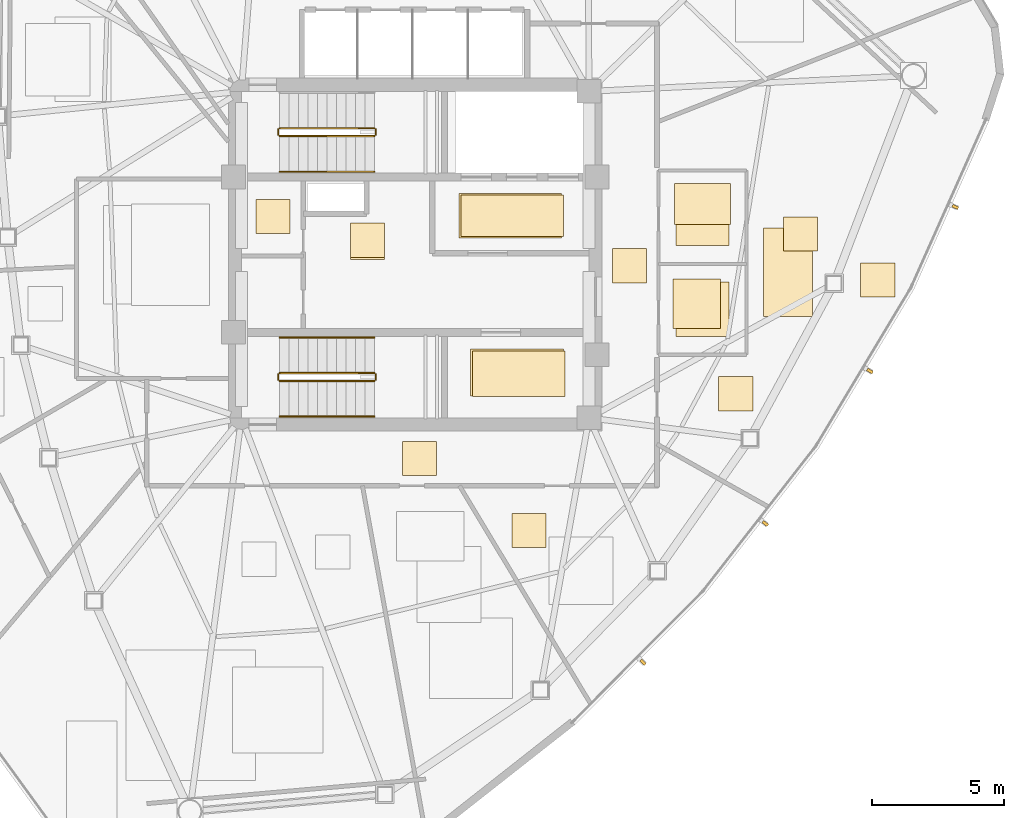
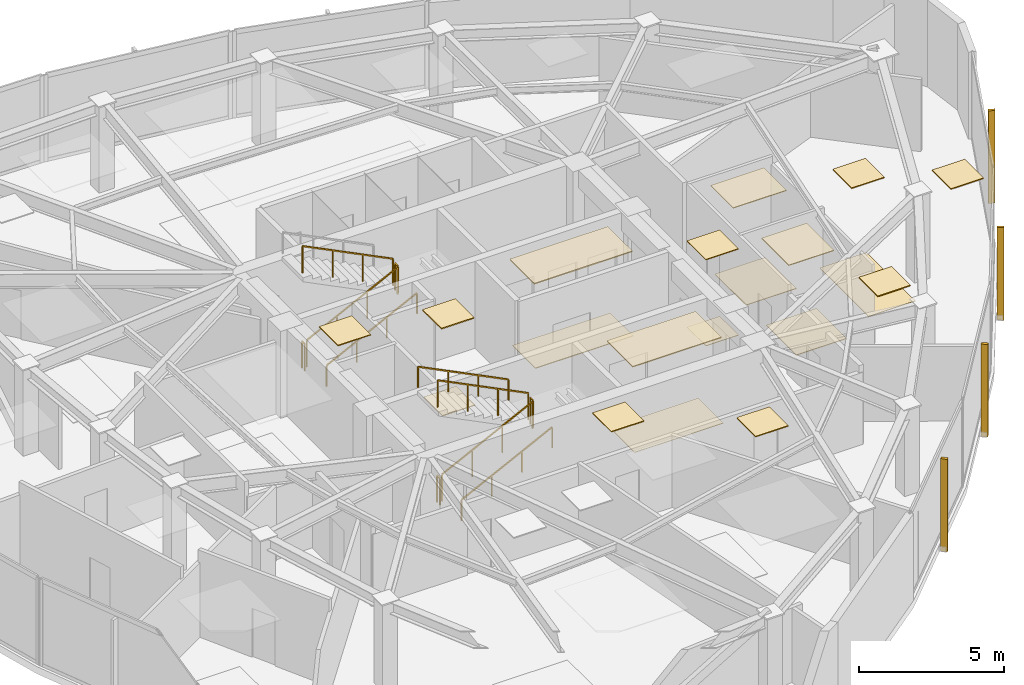
# One storey, part 12 of 13: 19 coverings, 11 railings, 4 shading devices.
"""IFC4 building model written with IfcOpenShell, lengths in metres."""

import ifcopenshell
import ifcopenshell.guid

model = None  # the IFC model being written
_history = None  # IfcOwnerHistory: only IFC2X3 demands one
_inside = {}  # id of a spatial element -> (the spatial element, [elements in it])
_under = {}  # id of a project, library or spatial element -> (it, [spatial elements below it])
_declared = {}  # id of a project -> (the project, [libraries it declares])
_typed = {}  # id of a type object -> (the type object, [elements of that type])
_made_of = {}  # id of a material, layer set ... -> (it, [elements and type objects made of it])


def new_model(schema):
    """Start an empty IFC model of exactly this schema.

    Asked for "IFC4X3", IfcOpenShell would pick the latest addendum, in which some entities
    have other attributes; the version numbers below select the first issue.
    IFC2X3 requires an IfcOwnerHistory on every rooted entity: one is made here for all.
    """
    global model, _history
    if schema == "IFC4X3":
        model = ifcopenshell.file(schema_version=(4, 3, 0, 0))
    else:
        model = ifcopenshell.file(schema=schema)
    _inside.clear()
    _under.clear()
    _declared.clear()
    _typed.clear()
    _made_of.clear()
    _history = None
    if model.schema == "IFC2X3":
        org = make("IfcOrganization", Name="unknown")
        user = make(
            "IfcPersonAndOrganization",
            ThePerson=make("IfcPerson", FamilyName="unknown"),
            TheOrganization=org,
        )
        app = make(
            "IfcApplication",
            ApplicationDeveloper=org,
            Version="unknown",
            ApplicationFullName="unknown",
            ApplicationIdentifier="unknown",
        )
        _history = make(
            "IfcOwnerHistory",
            OwningUser=user,
            OwningApplication=app,
            ChangeAction="ADDED",
            CreationDate=0,
        )
    return model


def make(cls, **values):
    """One entity of the class cls with the attributes given. An attribute that is None is left unset."""
    return model.create_entity(
        cls, **{name: value for name, value in values.items() if value is not None}
    )


def rooted(cls, **values):
    """An entity with a GlobalId (a new one), such as an element, a storey or a relation."""
    return make(cls, GlobalId=ifcopenshell.guid.new(), OwnerHistory=_history, **values)


def si_unit(unit_type, name, prefix=None):
    """IfcSIUnit, for example si_unit("LENGTHUNIT", "METRE", prefix="MILLI")."""
    return make("IfcSIUnit", UnitType=unit_type, Prefix=prefix, Name=name)


def assignment(units):
    """IfcUnitAssignment: the units of a project."""
    return None if units is None else make("IfcUnitAssignment", Units=units)


def point(xyz):
    """IfcCartesianPoint."""
    return None if xyz is None else make("IfcCartesianPoint", Coordinates=xyz)


def direction(xyz):
    """IfcDirection."""
    return None if xyz is None else make("IfcDirection", DirectionRatios=xyz)


def frame(location, z_axis=None, x_axis=None):
    """IfcAxis2Placement3D, a coordinate frame: its origin and axes. An axis left out is left unset."""
    return make(
        "IfcAxis2Placement3D",
        Location=point(location),
        Axis=direction(z_axis),
        RefDirection=direction(x_axis),
    )


def frame_2d(location, x_axis=None):
    """IfcAxis2Placement2D, a coordinate frame in the plane: its origin and x axis."""
    return make(
        "IfcAxis2Placement2D", Location=point(location), RefDirection=direction(x_axis)
    )


def origin():
    """The frame at (0, 0, 0) with its axes left unset."""
    return frame((0.0, 0.0, 0.0))


def origin_2d():
    """The frame at (0, 0) in the plane with its x axis left unset."""
    return frame_2d((0.0, 0.0))


def place(relative_to, where):
    """IfcLocalPlacement: puts the frame where relative to a parent placement (None: the world)."""
    return make(
        "IfcLocalPlacement", PlacementRelTo=relative_to, RelativePlacement=where
    )


def context(
    kind, dimensions, precision=None, world=None, true_north=None, identifier=None
):
    """IfcGeometricRepresentationContext, for example the 3D "Model" context."""
    return make(
        "IfcGeometricRepresentationContext",
        ContextIdentifier=identifier,
        ContextType=kind,
        CoordinateSpaceDimension=dimensions,
        Precision=precision,
        WorldCoordinateSystem=world,
        TrueNorth=true_north,
    )


def subcontext(parent, identifier, kind, view, scale=None):
    """IfcGeometricRepresentationSubContext, for example "Body" below "Model"."""
    return make(
        "IfcGeometricRepresentationSubContext",
        ContextIdentifier=identifier,
        ContextType=kind,
        ParentContext=parent,
        TargetScale=scale,
        TargetView=view,
    )


def project(units=None, contexts=None):
    """IfcProject with its units and contexts."""
    return rooted(
        "IfcProject",
        Name="project",
        RepresentationContexts=contexts,
        UnitsInContext=assignment(units),
    )


def spatial(cls, under=None, at=None, **own):
    """A site, building, storey or space (cls), placed at a placement, below another one or the project."""
    s = rooted(cls, ObjectPlacement=at, **own)
    if under is not None:
        _under.setdefault(under.id(), (under, []))[1].append(s)
    return s


def polyline(points):
    """IfcPolyline through the points."""
    return make("IfcPolyline", Points=[point(p) for p in points])


def profile(cls, at=None, kind="AREA", **sizes):
    """A parametric profile (cls). Its sizes go by their IFC names, for example OverallWidth=200.0."""
    return make(cls, ProfileType=kind, Position=at, **sizes)


def rectangle(**sizes):
    """IfcRectangleProfileDef."""
    return profile("IfcRectangleProfileDef", **sizes)


def outline(outer, holes=None, kind="AREA"):
    """IfcArbitraryClosedProfileDef: a profile drawn as a closed curve; with holes, ...WithVoids."""
    if holes is None:
        return make("IfcArbitraryClosedProfileDef", ProfileType=kind, OuterCurve=outer)
    return make(
        "IfcArbitraryProfileDefWithVoids",
        ProfileType=kind,
        OuterCurve=outer,
        InnerCurves=holes,
    )


def extrude(swept, where, along, depth):
    """IfcExtrudedAreaSolid: the profile swept, set in the frame where, extruded along a direction by depth."""
    return make(
        "IfcExtrudedAreaSolid",
        SweptArea=swept,
        Position=where,
        ExtrudedDirection=direction(along),
        Depth=depth,
    )


def shape(context_of_items, identifier, shape_type, items):
    """IfcShapeRepresentation: the items that make up one representation, for example the "Body"."""
    return make(
        "IfcShapeRepresentation",
        ContextOfItems=context_of_items,
        RepresentationIdentifier=identifier,
        RepresentationType=shape_type,
        Items=items,
    )


def source(mapping_origin, context_of_items, identifier, shape_type, items):
    """IfcRepresentationMap: a shape defined once, which mapped items show again and again."""
    return make(
        "IfcRepresentationMap",
        MappingOrigin=mapping_origin,
        MappedRepresentation=shape(context_of_items, identifier, shape_type, items),
    )


def transform(
    local_origin,
    x_axis=None,
    y_axis=None,
    z_axis=None,
    scale=None,
    scale2=None,
    scale3=None,
    uniform=True,
):
    """IfcCartesianTransformationOperator3D, or its non-uniform kind. x_axis, y_axis, z_axis: its Axis1, 2, 3."""
    if uniform:
        return make(
            "IfcCartesianTransformationOperator3D",
            Axis1=direction(x_axis),
            Axis2=direction(y_axis),
            LocalOrigin=point(local_origin),
            Scale=scale,
            Axis3=direction(z_axis),
        )
    return make(
        "IfcCartesianTransformationOperator3DnonUniform",
        Axis1=direction(x_axis),
        Axis2=direction(y_axis),
        LocalOrigin=point(local_origin),
        Scale=scale,
        Axis3=direction(z_axis),
        Scale2=scale2,
        Scale3=scale3,
    )


def mapped(mapping_source, mapping_target):
    """IfcMappedItem: shows the shape of a source again, moved by a transform."""
    return make(
        "IfcMappedItem", MappingSource=mapping_source, MappingTarget=mapping_target
    )


def material(Name=None, Category=None):
    """IfcMaterial."""
    return make("IfcMaterial", Name=Name, Category=Category)


def layer(
    of_material, thickness, ventilated=None, Name=None, Category=None, Priority=None
):
    """IfcMaterialLayer: one layer of a wall or slab, of a material (None: an air gap)."""
    return make(
        "IfcMaterialLayer",
        Material=of_material,
        LayerThickness=thickness,
        IsVentilated=ventilated,
        Name=Name,
        Category=Category,
        Priority=Priority,
    )


def layer_set(layers, Name=None):
    """IfcMaterialLayerSet."""
    return make("IfcMaterialLayerSet", MaterialLayers=layers, LayerSetName=Name)


def made_of(thing, what):
    """Note that an element or type object is made of a material, layer set ...; save() writes the relation."""
    if what is not None:
        _made_of.setdefault(what.id(), (what, []))[1].append(thing)
    return thing


def type_object(cls, material=None, **own):
    """A type object (cls), such as IfcWallType, which elements share."""
    return made_of(rooted(cls, **own), material)


def type_shapes(of_type, sources):
    """Give a type object the sources (RepresentationMaps) that its elements show as mapped items."""
    of_type.RepresentationMaps = sources


def element(
    cls,
    number,
    at=None,
    inside=None,
    cuts=None,
    type_object=None,
    material=None,
    context=None,
    identifier="Body",
    shape_type=None,
    held_by="IfcProductDefinitionShape",
    body=None,
    shapes=None,
    **own,
):
    """One element of the class cls, such as IfcWall. Its Tag is "e" and its number.

    at: its placement. inside: the storey or other place that contains it. cuts: it is an
    opening in that element (IfcRelVoidsElement). A single representation is given by context,
    identifier, shape_type and body (its items); several are given by shapes. held_by: the class
    of the entity that holds the representations. save() writes the other relations.
    """
    e = rooted(cls, Tag="e%d" % number, ObjectPlacement=at, **own)
    if body is not None:
        shapes = [shape(context, identifier, shape_type, body)]
    if shapes is not None:
        e.Representation = make(held_by, Representations=shapes)
    if inside is not None:
        _inside.setdefault(inside.id(), (inside, []))[1].append(e)
    if cuts is not None:
        rooted(
            "IfcRelVoidsElement", RelatingBuildingElement=cuts, RelatedOpeningElement=e
        )
    if type_object is not None:
        _typed.setdefault(type_object.id(), (type_object, []))[1].append(e)
    return made_of(e, material)


def aggregate(whole, parts):
    """IfcRelAggregates: a whole, such as a stair, and the parts it consists of."""
    return rooted("IfcRelAggregates", RelatingObject=whole, RelatedObjects=parts)


def save(model, path):
    """Write the relations noted so far, then the file.

    IfcRelAggregates (storeys below a building ...), IfcRelContainedInSpatialStructure (elements
    in a storey), IfcRelDefinesByType, IfcRelAssociatesMaterial and IfcRelDeclares: one each for
    every whole, place, type object, material and project.
    """
    for whole, parts in _under.values():
        aggregate(whole, parts)
    for where, things in _inside.values():
        rooted(
            "IfcRelContainedInSpatialStructure",
            RelatedElements=things,
            RelatingStructure=where,
        )
    for kind, things in _typed.values():
        rooted("IfcRelDefinesByType", RelatedObjects=things, RelatingType=kind)
    for what, things in _made_of.values():
        rooted("IfcRelAssociatesMaterial", RelatedObjects=things, RelatingMaterial=what)
    for by, libraries in _declared.values():
        rooted("IfcRelDeclares", RelatingContext=by, RelatedDefinitions=libraries)
    model.write(path)


model = new_model("IFC4")

# Units and contexts
model_context = context("Model", 3, precision=1e-05, world=origin(), true_north=direction((0.0, 1.0)))
body_context = subcontext(model_context, "Body", "Model", "MODEL_VIEW")
ifc_project = project(units=[si_unit("LENGTHUNIT", "METRE"), si_unit("AREAUNIT", "SQUARE_METRE"), si_unit("VOLUMEUNIT", "CUBIC_METRE"), si_unit("PLANEANGLEUNIT", "RADIAN"), si_unit("MASSUNIT", "GRAM", prefix="KILO")], contexts=[model_context])

# Site, building, storey
site_placement = place(None, origin())
site = spatial("IfcSite", under=ifc_project, at=site_placement, CompositionType="ELEMENT")
building_placement = place(site_placement, origin())
building = spatial("IfcBuilding", under=site, at=building_placement, Name="Tavelor Broadcast Tower", CompositionType="ELEMENT")
storey_placement = place(building_placement, frame((0.0, 0.0, 245.85009765625)))
storey = spatial("IfcBuildingStorey", under=building, at=storey_placement, Name="L58", CompositionType="ELEMENT", Elevation=245.85009765625)

# Coverings
ifc_material_1 = material(Name="Copper-Bronze Anodized Aluminium", Category="aluminium")
ifc_layer_1 = layer(ifc_material_1, 0.044921875)
ifc_layer_set_1 = layer_set([ifc_layer_1], Name="Copper-Bronze Anodized Aluminium")
covering_type_1 = type_object("IfcCoveringType", Name="Anodised Bronze Linear Slatted Concourse Ceiling 45 mm", PredefinedType="CEILING", material=ifc_layer_set_1)
covering_1_placement = place(storey_placement, frame((0.0, 0.0, 3.60498046875)))
element("IfcCovering", 1, at=covering_1_placement, inside=storey, type_object=covering_type_1, Name="L58 Suspended Acoustic Ceiling 2272", PredefinedType="CEILING", context=body_context, shape_type="SweptSolid", body=[
    extrude(outline(polyline([(51.659912109375, 45.6318359375), (55.55712890625, 45.6318359375), (55.55712890625, 47.328125), (51.659912109375, 47.328125), (51.659912109375, 45.6318359375)])), origin(), (0.0, 0.0, 1.0), 0.044921875),
])
covering_2_placement = place(storey_placement, frame((0.0, 0.0, 3.60498046875)))
element("IfcCovering", 2, at=covering_2_placement, inside=storey, type_object=covering_type_1, Name="L58 Suspended Acoustic Ceiling 2274", PredefinedType="CEILING", context=body_context, shape_type="SweptSolid", body=[
    extrude(outline(polyline([(47.5400390625, 44.89794921875), (48.840087890625, 44.89794921875), (48.840087890625, 46.197998046875), (47.5400390625, 46.197998046875), (47.5400390625, 44.89794921875)])), origin(), (0.0, 0.0, 1.0), 0.044921875),
])

# Railings
ifc_material_2 = material(Name="Steel S355", Category="steel")
railing_type_1 = type_object("IfcRailingType", Name="Continuous Brushed Stainless Handrail 900 mm", PredefinedType="HANDRAIL", material=ifc_material_2)
for number, where, name in (
    (3, (44.85009765625, 48.14990234375, 0.179443359375), "L58 ST1 stair handrail 1"),
    (4, (44.85009765625, 38.85009765625, 0.179443359375), "L58 ST2 stair handrail 1"),
):
    element("IfcRailing", number, at=place(storey_placement, frame(where)), inside=storey, type_object=railing_type_1, Name=name, PredefinedType="HANDRAIL", context=body_context, shape_type="SweptSolid", body=[
        extrude(rectangle(XDim=0.048095703125, YDim=0.048095703125, at=origin_2d()), frame((0.0, 0.0, 0.8759765625), z_axis=(0.894875846893, 0.0, 0.446315156192), x_axis=(0.0, 1.0, 0.0)), (0.0, 0.0, 1.0), 4.022705078125),
        extrude(rectangle(XDim=0.0419921875, YDim=0.0419921875, at=origin_2d()), origin(), (0.0, 0.0, 1.0), 0.851806640625),
        extrude(rectangle(XDim=0.0419921875, YDim=0.0419921875, at=origin_2d()), frame((1.199951171875, 0.0, 0.598388671875)), (0.0, 0.0, 1.0), 0.851806640625),
        extrude(rectangle(XDim=0.0419921875, YDim=0.0419921875, at=origin_2d()), frame((2.39990234375, 0.0, 1.197021484375)), (0.0, 0.0, 1.0), 0.851806640625),
        extrude(rectangle(XDim=0.0419921875, YDim=0.0419921875, at=origin_2d()), frame((3.599853515625, 0.0, 1.79541015625)), (0.0, 0.0, 1.0), 0.851806640625),
    ])
railing_1_placement = place(storey_placement, frame((48.449951171875, 41.85009765625, 2.154541015625)))
element("IfcRailing", 5, at=railing_1_placement, inside=storey, type_object=railing_type_1, Name="L58 ST2 stair handrail 2", PredefinedType="HANDRAIL", context=body_context, shape_type="SweptSolid", body=[
    extrude(rectangle(XDim=0.048095703125, YDim=0.048095703125, at=origin_2d()), frame((0.0, 0.0, 0.8759765625), z_axis=(-0.894875846893, 0.0, 0.446315156192), x_axis=(0.0, -1.0, 0.0)), (0.0, 0.0, 1.0), 4.022705078125),
    extrude(rectangle(XDim=0.0419921875, YDim=0.0419921875, at=origin_2d()), origin(), (0.0, 0.0, 1.0), 0.851806640625),
    extrude(rectangle(XDim=0.0419921875, YDim=0.0419921875, at=origin_2d()), frame((-1.199951171875, 0.0, 0.598388671875)), (0.0, 0.0, 1.0), 0.851806640625),
    extrude(rectangle(XDim=0.0419921875, YDim=0.0419921875, at=origin_2d()), frame((-2.39990234375, 0.0, 1.197021484375)), (0.0, 0.0, 1.0), 0.851806640625),
    extrude(rectangle(XDim=0.0419921875, YDim=0.0419921875, at=origin_2d()), frame((-3.599853515625, 0.0, 1.79541015625)), (0.0, 0.0, 1.0), 0.851806640625),
])

# Coverings
ifc_material_3 = material(Name="Architectural Anodized Aluminium", Category="aluminium")
ifc_layer_2 = layer(ifc_material_3, 0.034912109375)
ifc_layer_set_2 = layer_set([ifc_layer_2], Name="Architectural Anodized Aluminium")
covering_type_2 = type_object("IfcCoveringType", Name="Demountable Metal Tile Corridor Ceiling 35 mm", PredefinedType="CEILING", material=ifc_layer_set_2)
covering_3_placement = place(storey_placement, frame((0.0, 0.0, 3.614990234375)))
element("IfcCovering", 6, at=covering_3_placement, inside=storey, type_object=covering_type_2, Name="L58 Suspended Acoustic Ceiling 2276", PredefinedType="CEILING", context=body_context, shape_type="SweptSolid", body=[
    extrude(outline(polyline([(57.489990234375, 43.925048828125), (58.7900390625, 43.925048828125), (58.7900390625, 45.22509765625), (57.489990234375, 45.22509765625), (57.489990234375, 43.925048828125)])), origin(), (0.0, 0.0, 1.0), 0.034912109375),
])
covering_4_placement = place(storey_placement, frame((0.0, 0.0, 3.614990234375)))
element("IfcCovering", 7, at=covering_4_placement, inside=storey, type_object=covering_type_2, Name="L58 Suspended Acoustic Ceiling 2277", PredefinedType="CEILING", context=body_context, shape_type="SweptSolid", body=[
    extrude(outline(polyline([(49.510498046875, 36.610107421875), (50.810302734375, 36.610107421875), (50.810302734375, 37.909912109375), (49.510498046875, 37.909912109375), (49.510498046875, 36.610107421875)])), origin(), (0.0, 0.0, 1.0), 0.034912109375),
])
ifc_material_4 = material(Name="Acoustic Nylon Carpet Tile")
ifc_layer_3 = layer(ifc_material_4, 0.02001953125)
ifc_layer_set_3 = layer_set([ifc_layer_3], Name="Acoustic Nylon Carpet Tile")
covering_type_3 = type_object("IfcCoveringType", Name="Heavy-Duty Acoustic Broadcast Carpet Tile 20 mm", PredefinedType="FLOORING", material=ifc_layer_set_3)
covering_5_placement = place(storey_placement, origin())
element("IfcCovering", 8, at=covering_5_placement, inside=storey, type_object=covering_type_3, Name="L58 Broadcast Floor Finish 0849", PredefinedType="FLOORING", context=body_context, shape_type="SweptSolid", body=[
    extrude(outline(polyline([(52.176025390625, 39.611328125), (55.694091796875, 39.611328125), (55.694091796875, 41.341552734375), (52.176025390625, 41.341552734375), (52.176025390625, 39.611328125)])), origin(), (0.0, 0.0, 1.0), 0.02001953125),
])
covering_6_placement = place(storey_placement, origin())
element("IfcCovering", 9, at=covering_6_placement, inside=storey, type_object=covering_type_3, Name="L58 Broadcast Floor Finish 0851", PredefinedType="FLOORING", context=body_context, shape_type="SweptSolid", body=[
    extrude(outline(polyline([(57.489990234375, 43.925048828125), (58.7900390625, 43.925048828125), (58.7900390625, 45.22509765625), (57.489990234375, 45.22509765625), (57.489990234375, 43.925048828125)])), origin(), (0.0, 0.0, 1.0), 0.02001953125),
])
covering_7_placement = place(storey_placement, origin())
element("IfcCovering", 10, at=covering_7_placement, inside=storey, type_object=covering_type_3, Name="L58 Broadcast Floor Finish 0861", PredefinedType="FLOORING", context=body_context, shape_type="SweptSolid", body=[
    extrude(outline(polyline([(63.22509765625, 42.65576171875), (65.084228515625, 42.65576171875), (65.084228515625, 46.01904296875), (63.22509765625, 46.01904296875), (63.22509765625, 42.65576171875)])), origin(), (0.0, 0.0, 1.0), 0.02001953125),
])
ifc_material_5 = material(Name="Honed Natural Limestone Tile", Category="masonry")
ifc_layer_4 = layer(ifc_material_5, 0.030029296875)
ifc_layer_set_4 = layer_set([ifc_layer_4], Name="Honed Natural Limestone Tile")
covering_type_4 = type_object("IfcCoveringType", Name="Honed Jerusalem Limestone Concourse Flooring 30 mm", PredefinedType="FLOORING", material=ifc_layer_set_4)
covering_8_placement = place(storey_placement, origin())
element("IfcCovering", 11, at=covering_8_placement, inside=storey, type_object=covering_type_4, Name="L58 Broadcast Floor Finish 0848", PredefinedType="FLOORING", context=body_context, shape_type="SweptSolid", body=[
    extrude(outline(polyline([(51.7373046875, 45.689453125), (55.62255859375, 45.689453125), (55.62255859375, 47.2705078125), (51.7373046875, 47.2705078125), (51.7373046875, 45.689453125)])), origin(), (0.0, 0.0, 1.0), 0.02978515625),
])
covering_9_placement = place(storey_placement, origin())
element("IfcCovering", 12, at=covering_9_placement, inside=storey, type_object=covering_type_4, Name="L58 Broadcast Floor Finish 0850", PredefinedType="FLOORING", context=body_context, shape_type="SweptSolid", body=[
    extrude(outline(polyline([(47.5400390625, 44.818115234375), (48.840087890625, 44.818115234375), (48.840087890625, 46.117919921875), (47.5400390625, 46.117919921875), (47.5400390625, 44.818115234375)])), origin(), (0.0, 0.0, 1.0), 0.02978515625),
])
ifc_layer_5 = layer(ifc_material_3, 0.030029296875)
ifc_layer_set_5 = layer_set([ifc_layer_5], Name="Architectural Anodized Aluminium")
covering_type_5 = type_object("IfcCoveringType", Name="Moisture-Resistant Washroom Ceiling 30 mm", PredefinedType="CEILING", material=ifc_layer_set_5)
covering_10_placement = place(storey_placement, frame((0.0, 0.0, 3.619873046875)))
element("IfcCovering", 13, at=covering_10_placement, inside=storey, type_object=covering_type_5, Name="L58 Suspended Acoustic Ceiling 2279", PredefinedType="CEILING", context=body_context, shape_type="SweptSolid", body=[
    extrude(outline(polyline([(59.79150390625, 42.2001953125), (61.589599609375, 42.2001953125), (61.589599609375, 44.08203125), (59.79150390625, 44.08203125), (59.79150390625, 42.2001953125)])), origin(), (0.0, 0.0, 1.0), 0.030029296875),
])
covering_11_placement = place(storey_placement, frame((0.0, 0.0, 3.619873046875)))
element("IfcCovering", 14, at=covering_11_placement, inside=storey, type_object=covering_type_5, Name="L58 Suspended Acoustic Ceiling 2280", PredefinedType="CEILING", context=body_context, shape_type="SweptSolid", body=[
    extrude(outline(polyline([(59.85302734375, 46.13623046875), (61.967041015625, 46.13623046875), (61.967041015625, 47.69482421875), (59.85302734375, 47.69482421875), (59.85302734375, 46.13623046875)])), origin(), (0.0, 0.0, 1.0), 0.030029296875),
])
ifc_material_6 = material(Name="Slip-Resistant Porcelain Tile")
ifc_layer_6 = layer(ifc_material_6, 0.02490234375)
ifc_layer_set_6 = layer_set([ifc_layer_6], Name="Slip-Resistant Porcelain Tile")
covering_type_6 = type_object("IfcCoveringType", Name="Slip-Resistant Porcelain Wet-Area Floor Tile 25 mm", PredefinedType="FLOORING", material=ifc_layer_set_6)
covering_12_placement = place(storey_placement, origin())
element("IfcCovering", 15, at=covering_12_placement, inside=storey, type_object=covering_type_6, Name="L58 Broadcast Floor Finish 0853", PredefinedType="FLOORING", context=body_context, shape_type="SweptSolid", body=[
    extrude(outline(polyline([(59.91064453125, 41.885986328125), (61.909423828125, 41.885986328125), (61.909423828125, 43.964111328125), (59.91064453125, 43.964111328125), (59.91064453125, 41.885986328125)])), origin(), (0.0, 0.0, 1.0), 0.02490234375),
])
covering_13_placement = place(storey_placement, origin())
element("IfcCovering", 16, at=covering_13_placement, inside=storey, type_object=covering_type_6, Name="L58 Broadcast Floor Finish 0854", PredefinedType="FLOORING", context=body_context, shape_type="SweptSolid", body=[
    extrude(outline(polyline([(59.91064453125, 45.35009765625), (61.909423828125, 45.35009765625), (61.909423828125, 47.5), (59.91064453125, 47.5), (59.91064453125, 45.35009765625)])), origin(), (0.0, 0.0, 1.0), 0.02490234375),
])

# Railings
railing_type_2 = type_object("IfcRailingType", Name="Stairwell Steel Safety Guardrail 1150 mm", PredefinedType="GUARDRAIL", material=ifc_material_2)
railing_2_placement = place(storey_placement, frame((44.85009765625, 49.5, 0.179443359375)))
element("IfcRailing", 17, at=railing_2_placement, inside=storey, type_object=railing_type_2, Name="L58 ST1 stair guard 1", PredefinedType="GUARDRAIL", context=body_context, shape_type="SweptSolid", body=[
    extrude(rectangle(XDim=0.048095703125, YDim=0.048095703125, at=origin_2d()), frame((0.0, 0.0, 1.1259765625), z_axis=(0.894875846893, 0.0, 0.446315156192), x_axis=(0.0, 1.0, 0.0)), (0.0, 0.0, 1.0), 4.022705078125),
    extrude(rectangle(XDim=0.0419921875, YDim=0.0419921875, at=origin_2d()), origin(), (0.0, 0.0, 1.0), 1.101806640625),
    extrude(rectangle(XDim=0.0419921875, YDim=0.0419921875, at=origin_2d()), frame((1.199951171875, 0.0, 0.598388671875)), (0.0, 0.0, 1.0), 1.101806640625),
    extrude(rectangle(XDim=0.0419921875, YDim=0.0419921875, at=origin_2d()), frame((2.39990234375, 0.0, 1.197021484375)), (0.0, 0.0, 1.0), 1.101806640625),
    extrude(rectangle(XDim=0.0419921875, YDim=0.0419921875, at=origin_2d()), frame((3.599853515625, 0.0, 1.79541015625)), (0.0, 0.0, 1.0), 1.101806640625),
])
railing_3_placement = place(storey_placement, frame((48.5, 49.550048828125, 1.974853515625)))
element("IfcRailing", 18, at=railing_3_placement, inside=storey, type_object=railing_type_2, Name="L58 ST1 stair guard 2", PredefinedType="GUARDRAIL", context=body_context, shape_type="SweptSolid", body=[
    extrude(rectangle(XDim=0.048095703125, YDim=0.048095703125, at=origin_2d()), frame((0.0, 0.0, 1.1259765625), z_axis=(0.0, 1.0, 0.0), x_axis=(-1.0, 0.0, 0.0)), (0.0, 0.0, 1.0), 0.199951171875),
    extrude(rectangle(XDim=0.0419921875, YDim=0.0419921875, at=origin_2d()), origin(), (0.0, 0.0, 1.0), 1.101806640625),
    extrude(rectangle(XDim=0.0419921875, YDim=0.0419921875, at=origin_2d()), frame((0.0, 0.199951171875, 0.0)), (0.0, 0.0, 1.0), 1.101806640625),
])
railing_4_placement = place(storey_placement, frame((48.449951171875, 49.800048828125, 2.154541015625)))
element("IfcRailing", 19, at=railing_4_placement, inside=storey, type_object=railing_type_2, Name="L58 ST1 stair guard 3", PredefinedType="GUARDRAIL", context=body_context, shape_type="SweptSolid", body=[
    extrude(rectangle(XDim=0.048095703125, YDim=0.048095703125, at=origin_2d()), frame((0.0, 0.0, 1.1259765625), z_axis=(-0.894875846893, 0.0, 0.446315156192), x_axis=(0.0, -1.0, 0.0)), (0.0, 0.0, 1.0), 4.022705078125),
    extrude(rectangle(XDim=0.0419921875, YDim=0.0419921875, at=origin_2d()), origin(), (0.0, 0.0, 1.0), 1.101806640625),
    extrude(rectangle(XDim=0.0419921875, YDim=0.0419921875, at=origin_2d()), frame((-1.199951171875, 0.0, 0.598388671875)), (0.0, 0.0, 1.0), 1.101806640625),
    extrude(rectangle(XDim=0.0419921875, YDim=0.0419921875, at=origin_2d()), frame((-2.39990234375, 0.0, 1.197021484375)), (0.0, 0.0, 1.0), 1.101806640625),
    extrude(rectangle(XDim=0.0419921875, YDim=0.0419921875, at=origin_2d()), frame((-3.599853515625, 0.0, 1.79541015625)), (0.0, 0.0, 1.0), 1.101806640625),
])
railing_5_placement = place(storey_placement, frame((44.800048828125, 49.550048828125, 0.0)))
element("IfcRailing", 20, at=railing_5_placement, inside=storey, type_object=railing_type_2, Name="L58 ST1 stair guard 4", PredefinedType="GUARDRAIL", context=body_context, shape_type="SweptSolid", body=[
    extrude(rectangle(XDim=0.048095703125, YDim=0.048095703125, at=origin_2d()), frame((0.0, 0.0, 1.1259765625), z_axis=(0.0, 1.0, 0.0), x_axis=(-1.0, 0.0, 0.0)), (0.0, 0.0, 1.0), 0.199951171875),
    extrude(rectangle(XDim=0.0419921875, YDim=0.0419921875, at=origin_2d()), origin(), (0.0, 0.0, 1.0), 1.101806640625),
    extrude(rectangle(XDim=0.0419921875, YDim=0.0419921875, at=origin_2d()), frame((0.0, 0.199951171875, 0.0)), (0.0, 0.0, 1.0), 1.101806640625),
])
railing_6_placement = place(storey_placement, frame((44.85009765625, 40.199951171875, 0.179443359375)))
element("IfcRailing", 21, at=railing_6_placement, inside=storey, type_object=railing_type_2, Name="L58 ST2 stair guard 1", PredefinedType="GUARDRAIL", context=body_context, shape_type="SweptSolid", body=[
    extrude(rectangle(XDim=0.048095703125, YDim=0.048095703125, at=origin_2d()), frame((0.0, 0.0, 1.1259765625), z_axis=(0.894875846893, 0.0, 0.446315156192), x_axis=(0.0, 1.0, 0.0)), (0.0, 0.0, 1.0), 4.022705078125),
    extrude(rectangle(XDim=0.0419921875, YDim=0.0419921875, at=origin_2d()), origin(), (0.0, 0.0, 1.0), 1.101806640625),
    extrude(rectangle(XDim=0.0419921875, YDim=0.0419921875, at=origin_2d()), frame((1.199951171875, 0.0, 0.598388671875)), (0.0, 0.0, 1.0), 1.101806640625),
    extrude(rectangle(XDim=0.0419921875, YDim=0.0419921875, at=origin_2d()), frame((2.39990234375, 0.0, 1.197021484375)), (0.0, 0.0, 1.0), 1.101806640625),
    extrude(rectangle(XDim=0.0419921875, YDim=0.0419921875, at=origin_2d()), frame((3.599853515625, 0.0, 1.79541015625)), (0.0, 0.0, 1.0), 1.101806640625),
])
railing_7_placement = place(storey_placement, frame((48.5, 40.25, 1.974853515625)))
element("IfcRailing", 22, at=railing_7_placement, inside=storey, type_object=railing_type_2, Name="L58 ST2 stair guard 2", PredefinedType="GUARDRAIL", context=body_context, shape_type="SweptSolid", body=[
    extrude(rectangle(XDim=0.048095703125, YDim=0.048095703125, at=origin_2d()), frame((0.0, 0.0, 1.1259765625), z_axis=(0.0, 1.0, 0.0), x_axis=(-1.0, 0.0, 0.0)), (0.0, 0.0, 1.0), 0.199951171875),
    extrude(rectangle(XDim=0.0419921875, YDim=0.0419921875, at=origin_2d()), origin(), (0.0, 0.0, 1.0), 1.101806640625),
    extrude(rectangle(XDim=0.0419921875, YDim=0.0419921875, at=origin_2d()), frame((0.0, 0.199951171875, 0.0)), (0.0, 0.0, 1.0), 1.101806640625),
])
railing_8_placement = place(storey_placement, frame((48.449951171875, 40.5, 2.154541015625)))
element("IfcRailing", 23, at=railing_8_placement, inside=storey, type_object=railing_type_2, Name="L58 ST2 stair guard 3", PredefinedType="GUARDRAIL", context=body_context, shape_type="SweptSolid", body=[
    extrude(rectangle(XDim=0.048095703125, YDim=0.048095703125, at=origin_2d()), frame((0.0, 0.0, 1.1259765625), z_axis=(-0.894875846893, 0.0, 0.446315156192), x_axis=(0.0, -1.0, 0.0)), (0.0, 0.0, 1.0), 4.022705078125),
    extrude(rectangle(XDim=0.0419921875, YDim=0.0419921875, at=origin_2d()), origin(), (0.0, 0.0, 1.0), 1.101806640625),
    extrude(rectangle(XDim=0.0419921875, YDim=0.0419921875, at=origin_2d()), frame((-1.199951171875, 0.0, 0.598388671875)), (0.0, 0.0, 1.0), 1.101806640625),
    extrude(rectangle(XDim=0.0419921875, YDim=0.0419921875, at=origin_2d()), frame((-2.39990234375, 0.0, 1.197021484375)), (0.0, 0.0, 1.0), 1.101806640625),
    extrude(rectangle(XDim=0.0419921875, YDim=0.0419921875, at=origin_2d()), frame((-3.599853515625, 0.0, 1.79541015625)), (0.0, 0.0, 1.0), 1.101806640625),
])
railing_9_placement = place(storey_placement, frame((44.800048828125, 40.25, 0.0)))
element("IfcRailing", 24, at=railing_9_placement, inside=storey, type_object=railing_type_2, Name="L58 ST2 stair guard 4", PredefinedType="GUARDRAIL", context=body_context, shape_type="SweptSolid", body=[
    extrude(rectangle(XDim=0.048095703125, YDim=0.048095703125, at=origin_2d()), frame((0.0, 0.0, 1.1259765625), z_axis=(0.0, 1.0, 0.0), x_axis=(-1.0, 0.0, 0.0)), (0.0, 0.0, 1.0), 0.199951171875),
    extrude(rectangle(XDim=0.0419921875, YDim=0.0419921875, at=origin_2d()), origin(), (0.0, 0.0, 1.0), 1.101806640625),
    extrude(rectangle(XDim=0.0419921875, YDim=0.0419921875, at=origin_2d()), frame((0.0, 0.199951171875, 0.0)), (0.0, 0.0, 1.0), 1.101806640625),
])

# Coverings
ifc_material_7 = material(Name="Acoustic Mineral Fibre Tile")
ifc_layer_7 = layer(ifc_material_7, 0.0400390625)
ifc_layer_set_7 = layer_set([ifc_layer_7], Name="Acoustic Mineral Fibre Tile")
covering_type_7 = type_object("IfcCoveringType", Name="Suspended Acoustic Mineral-Fibre Office Ceiling 40 mm", PredefinedType="CEILING", material=ifc_layer_set_7)
covering_14_placement = place(storey_placement, frame((0.0, 0.0, 3.60986328125)))
element("IfcCovering", 25, at=covering_14_placement, inside=storey, type_object=covering_type_7, Name="L58 Suspended Acoustic Ceiling 2273", PredefinedType="CEILING", context=body_context, shape_type="SweptSolid", body=[
    extrude(outline(polyline([(52.098388671875, 39.62255859375), (55.628662109375, 39.62255859375), (55.628662109375, 41.410400390625), (52.098388671875, 41.410400390625), (52.098388671875, 39.62255859375)])), origin(), (0.0, 0.0, 1.0), 0.0400390625),
])
covering_15_placement = place(storey_placement, frame((0.0, 0.0, 3.60986328125)))
element("IfcCovering", 26, at=covering_15_placement, inside=storey, type_object=covering_type_7, Name="L58 Suspended Acoustic Ceiling 2275", PredefinedType="CEILING", context=body_context, shape_type="SweptSolid", body=[
    extrude(outline(polyline([(43.951416015625, 45.794921875), (45.25146484375, 45.794921875), (45.25146484375, 47.094970703125), (43.951416015625, 47.094970703125), (43.951416015625, 45.794921875)])), origin(), (0.0, 0.0, 1.0), 0.0400390625),
])
covering_16_placement = place(storey_placement, frame((0.0, 0.0, 3.60986328125)))
element("IfcCovering", 27, at=covering_16_placement, inside=storey, type_object=covering_type_7, Name="L58 Suspended Acoustic Ceiling 2281", PredefinedType="CEILING", context=body_context, shape_type="SweptSolid", body=[
    extrude(outline(polyline([(53.669677734375, 33.87744140625), (54.9697265625, 33.87744140625), (54.9697265625, 35.177490234375), (53.669677734375, 35.177490234375), (53.669677734375, 33.87744140625)])), origin(), (0.0, 0.0, 1.0), 0.0400390625),
])
covering_17_placement = place(storey_placement, frame((0.0, 0.0, 3.60986328125)))
element("IfcCovering", 28, at=covering_17_placement, inside=storey, type_object=covering_type_7, Name="L58 Suspended Acoustic Ceiling 2299", PredefinedType="CEILING", context=body_context, shape_type="SweptSolid", body=[
    extrude(outline(polyline([(61.518798828125, 39.069580078125), (62.81884765625, 39.069580078125), (62.81884765625, 40.369384765625), (61.518798828125, 40.369384765625), (61.518798828125, 39.069580078125)])), origin(), (0.0, 0.0, 1.0), 0.0400390625),
])
covering_18_placement = place(storey_placement, frame((0.0, 0.0, 3.60986328125)))
element("IfcCovering", 29, at=covering_18_placement, inside=storey, type_object=covering_type_7, Name="L58 Suspended Acoustic Ceiling 2300", PredefinedType="CEILING", context=body_context, shape_type="SweptSolid", body=[
    extrude(outline(polyline([(63.98291015625, 45.1328125), (65.28271484375, 45.1328125), (65.28271484375, 46.4326171875), (63.98291015625, 46.4326171875), (63.98291015625, 45.1328125)])), origin(), (0.0, 0.0, 1.0), 0.0400390625),
])
covering_19_placement = place(storey_placement, frame((0.0, 0.0, 3.60986328125)))
element("IfcCovering", 30, at=covering_19_placement, inside=storey, type_object=covering_type_7, Name="L58 Suspended Acoustic Ceiling 2301", PredefinedType="CEILING", context=body_context, shape_type="SweptSolid", body=[
    extrude(outline(polyline([(66.916259765625, 43.3828125), (68.21630859375, 43.3828125), (68.21630859375, 44.6826171875), (66.916259765625, 44.6826171875), (66.916259765625, 43.3828125)])), origin(), (0.0, 0.0, 1.0), 0.0400390625),
])

# Shading devices
ifc_material_8 = material(Name="Kiln-Fired Glazed Terracotta", Category="masonry")
shading_device_type = type_object("IfcShadingDeviceType", Name="Extruded Terracotta Baguette Sun-Screen 110x240", PredefinedType="JALOUSIE", material=ifc_material_8)
shared_shape = source(origin(), body_context, "Body", "SweptSolid", [
    extrude(rectangle(XDim=0.110107421875, YDim=0.239990234375, at=origin_2d()), origin(), (0.0, 0.0, 1.0), 3.889892578125),
])
type_shapes(shading_device_type, [shared_shape])
for number, where, z_axis, x_axis, name in (
    (31, (58.6494140625, 29.51904296875, -0.26025390625), (0.0, 0.0, 1.0), (0.705500588065, 0.7087093341, 0.0), "L58 Terracotta Baguette Fin 605"),
    (32, (63.294189453125, 34.78759765625, -0.26025390625), (0.0, 0.0, 1.0), (0.614698279336, 0.788762337705, 0.0), "L58 Terracotta Baguette Fin 606"),
    (33, (67.267333984375, 40.579345703125, -0.26025390625), (0.0, 0.0, 1.0), (0.514589192581, 0.857436856497, 0.0), "L58 Terracotta Baguette Fin 607"),
    (34, (70.510498046875, 46.8095703125, -0.26025390625), (0.0, 0.0, 1.0), (0.407055505812, 0.913403424117, 0.0), "L58 Terracotta Baguette Fin 608"),
):
    element("IfcShadingDevice", number, at=place(storey_placement, frame(where, z_axis=z_axis, x_axis=x_axis)), inside=storey, type_object=shading_device_type, Name=name, PredefinedType="JALOUSIE", context=body_context, shape_type="MappedRepresentation", body=[
        mapped(shared_shape, transform((0.0, 0.0, 0.0), scale=1.0)),
    ])

save(model, "model.ifc")
